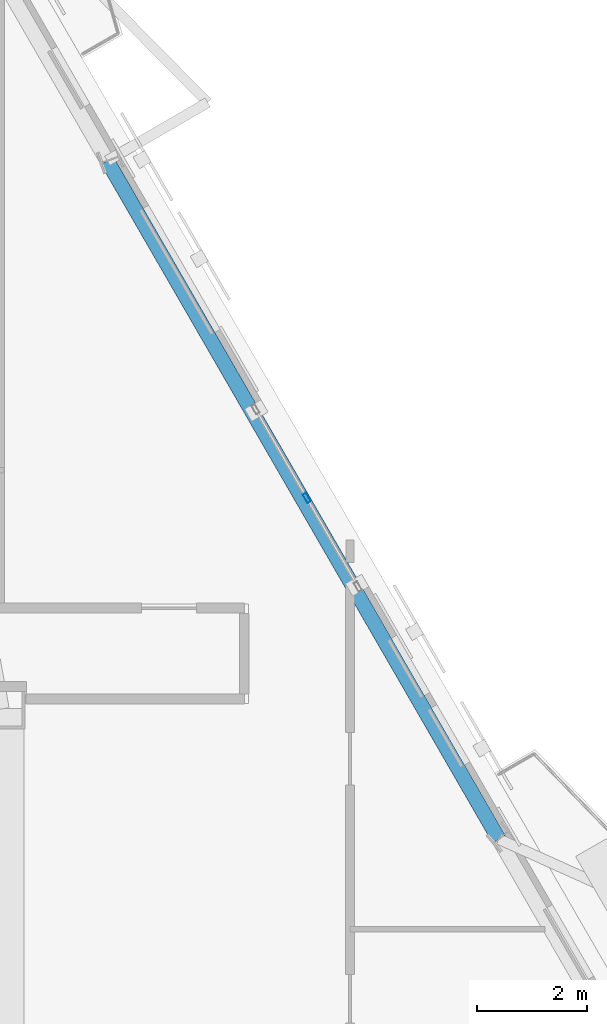
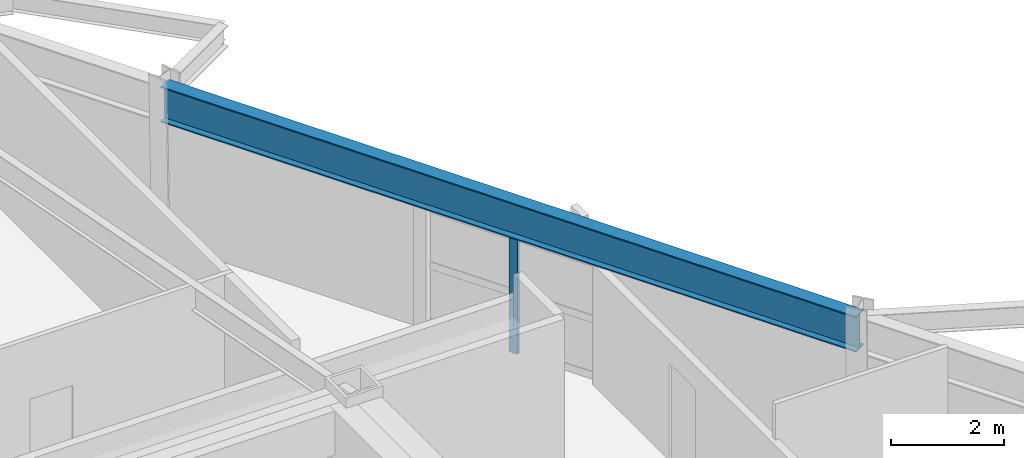
# One storey, part 5 of 14: 1 beam, 1 member, 1 element without a shape of its own.
"""IFC4 building model written with IfcOpenShell, lengths in metres."""

from ifc_helpers import new_model, si_unit, direction, frame, origin, origin_2d, place, context, subcontext, project, spatial, hollow_rectangle, i_section, extrude, material, layer, layer_set, material_profile, profile_set, type_object, element, aggregate, save


model = new_model("IFC4")

# Units and contexts
model_context = context("Model", 3, precision=1e-05, world=origin(), true_north=direction((0.0, 1.0)))
body_context = subcontext(model_context, "Body", "Model", "MODEL_VIEW")
ifc_project = project(units=[si_unit("LENGTHUNIT", "METRE"), si_unit("AREAUNIT", "SQUARE_METRE"), si_unit("VOLUMEUNIT", "CUBIC_METRE"), si_unit("PLANEANGLEUNIT", "RADIAN"), si_unit("MASSUNIT", "GRAM", prefix="KILO")], contexts=[model_context])

# Site, building, storey
site_placement = place(None, origin())
site = spatial("IfcSite", under=ifc_project, at=site_placement, CompositionType="ELEMENT")
building_placement = place(site_placement, origin())
building = spatial("IfcBuilding", under=site, at=building_placement, Name="Oramaril Tower", CompositionType="ELEMENT")
storey_placement = place(building_placement, frame((0.0, 0.0, 149.39990234375)))
storey = spatial("IfcBuildingStorey", under=building, at=storey_placement, Name="L39", CompositionType="ELEMENT", Elevation=149.39990234375)

# Beam
ifc_material_1 = material(Name="Steel ASTM A572 Gr 50", Category="steel")
ifc_material_profile_1 = material_profile(ifc_material_1, i_section(OverallWidth=0.26708984375, OverallDepth=0.77001953125, WebThickness=0.015625, FlangeThickness=0.025390625, at=origin_2d()), Name="W30X132")
ifc_profile_set_1 = profile_set([ifc_material_profile_1], Name="Steel ASTM A572 Gr 50")
beam_type = type_object("IfcBeamType", Name="BT-SP3", PredefinedType="SPANDREL", material=ifc_profile_set_1)
beam_placement = place(storey_placement, frame((54.62109375, 21.77734375, 2.9951171875), z_axis=(-0.499999458709, 0.866025716299, 0.0), x_axis=(-0.866025716299, -0.499999458709, 0.0)))
element("IfcBeam", 1, at=beam_placement, inside=storey, type_object=beam_type, Name="L39 Perimeter Spandrel 10", PredefinedType="SPANDREL", context=body_context, shape_type="SweptSolid", body=[
    extrude(i_section(OverallWidth=0.26708984375, OverallDepth=0.77001953125, WebThickness=0.015625, FlangeThickness=0.025390625, at=origin_2d()), origin(), (0.0, 0.0, 1.0), 14.2158203125),
])

# Curtain wall, member
ifc_material_2 = material(Name="Anodised Aluminium 6063-T6", Category="aluminium")
ifc_layer = layer(ifc_material_2, 0.179931640625)
ifc_layer_set = layer_set([ifc_layer], Name="CWT-SYS3")
curtain_wall_type = type_object("IfcCurtainWallType", Name="CWT-SYS3", PredefinedType="NOTDEFINED", material=ifc_layer_set)
curtain_wall_placement = place(storey_placement, origin())
curtain_wall = element("IfcCurtainWall", 2, at=curtain_wall_placement, inside=storey, type_object=curtain_wall_type, Name="L39 Unitised Curtain Wall CW-3", PredefinedType="NOTDEFINED")
ifc_material_3 = material(Name="Anodised Aluminium 6063-T6", Category="aluminium")
ifc_material_profile_2 = material_profile(ifc_material_3, hollow_rectangle(XDim=0.070068359375, YDim=0.179931640625, WallThickness=0.00390625, at=origin_2d()), Name="CWM180X70")
ifc_profile_set_2 = profile_set([ifc_material_profile_2], Name="Anodised Aluminium 6063-T6")
member_type = type_object("IfcMemberType", Name="MT-CWM2", PredefinedType="MULLION", material=ifc_profile_set_2)
member_placement = place(storey_placement, frame((51.134033203125, 27.9716796875, 0.0), z_axis=(0.0, 0.0, 1.0), x_axis=(-0.866025463091, -0.499999897278, 0.0)))
member = element("IfcMember", 3, at=member_placement, type_object=member_type, Name="CW-3 mullion 2", PredefinedType="MULLION", context=body_context, shape_type="SweptSolid", body=[
    extrude(hollow_rectangle(XDim=0.070068359375, YDim=0.179931640625, WallThickness=0.00390625, at=origin_2d()), origin(), (0.0, 0.0, 1.0), 2.60009765625),
])
aggregate(curtain_wall, [member])

save(model, "model.ifc")
